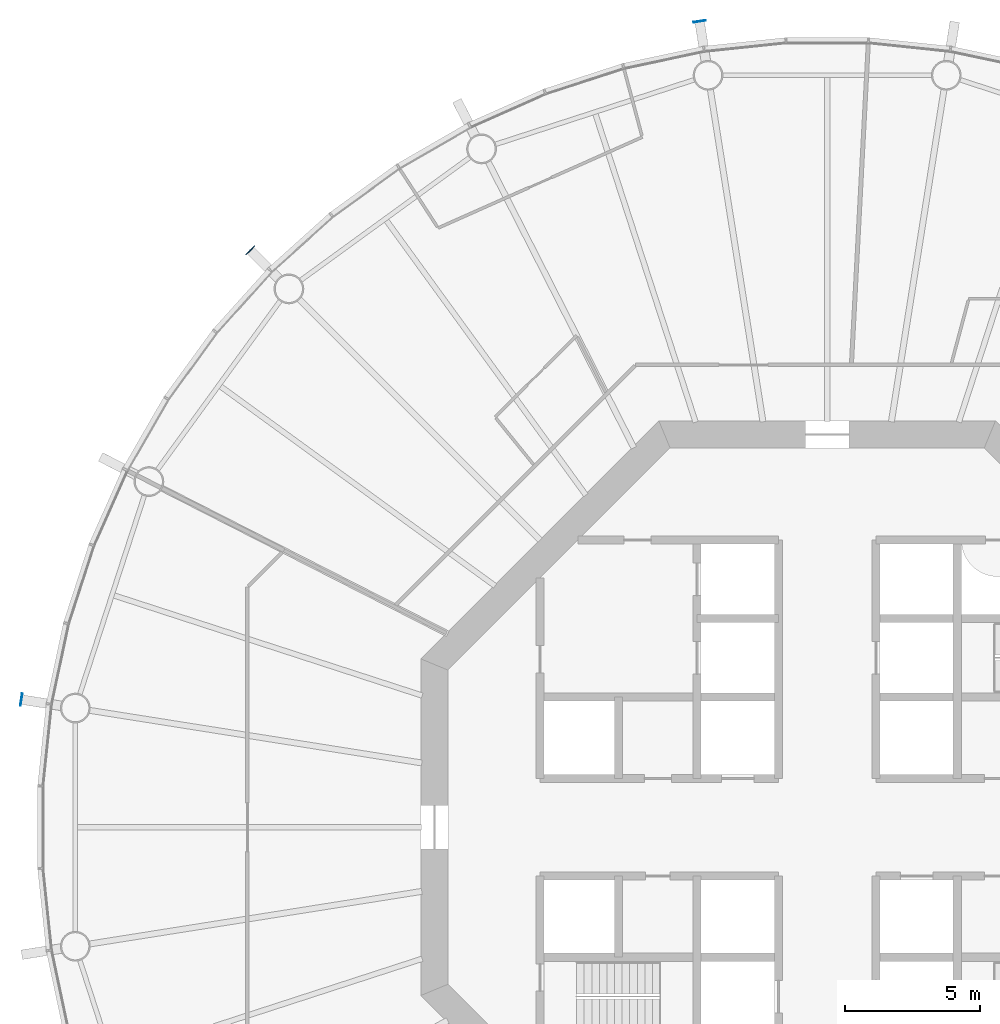
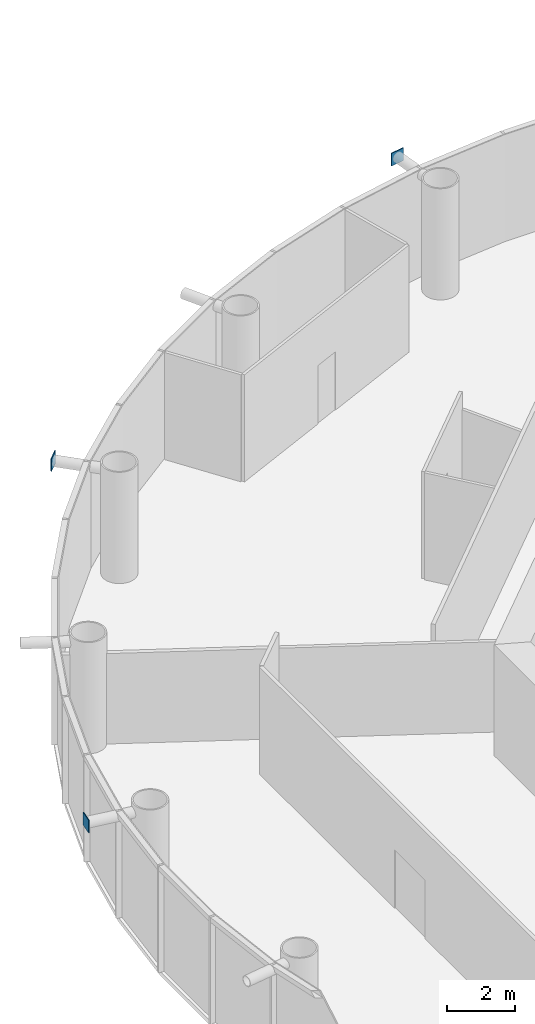
# One storey, part 9 of 17: 3 discrete accessories.
"""IFC4 building model written with IfcOpenShell, lengths in metres."""

from ifc_helpers import new_model, si_unit, direction, frame, origin, origin_2d, place, context, subcontext, project, spatial, rectangle, extrude, material, element, save


model = new_model("IFC4")

# Units and contexts
model_context = context("Model", 3, precision=1e-05, world=origin(), true_north=direction((0.0, 1.0)))
body_context = subcontext(model_context, "Body", "Model", "MODEL_VIEW")
ifc_project = project(units=[si_unit("LENGTHUNIT", "METRE"), si_unit("AREAUNIT", "SQUARE_METRE"), si_unit("VOLUMEUNIT", "CUBIC_METRE"), si_unit("PLANEANGLEUNIT", "RADIAN"), si_unit("MASSUNIT", "GRAM", prefix="KILO")], contexts=[model_context])

# Site, building, storey
site_placement = place(None, origin())
site = spatial("IfcSite", under=ifc_project, at=site_placement, CompositionType="ELEMENT")
building_placement = place(site_placement, origin())
building = spatial("IfcBuilding", under=site, at=building_placement, Name="Entoto Ring Tower", CompositionType="ELEMENT")
storey_placement = place(building_placement, frame((0.0, 0.0, 176.0)))
storey = spatial("IfcBuildingStorey", under=building, at=storey_placement, Name="L40", CompositionType="ELEMENT", Elevation=176.0)

# Discrete accessories
ifc_material = material(Name="Steel S355", Category="steel")
for number, where, z_axis, x_axis, name in (
    (1, (85.2890625, 109.744140625, 3.4443359375), (0.0, 0.0, 1.0), (-0.15643446504, 0.987688340595, 0.0), "Node strut end plate DS1 ring 12 06"),
    (2, (68.70556640625, 101.29443359375, 3.4443359375), (0.0, 0.0, 1.0), (-0.707106781187, 0.707106781187, 0.0), "Node strut end plate DS1 ring 12 08"),
    (3, (60.255859375, 84.7109375, 3.4443359375), (0.0, 0.0, 1.0), (-0.987688340595, 0.15643446504, 0.0), "Node strut end plate DS1 ring 12 10"),
):
    element("IfcDiscreteAccessory", number, at=place(storey_placement, frame(where, z_axis=z_axis, x_axis=x_axis)), inside=storey, material=ifc_material, Name=name, PredefinedType="BRACKET", context=body_context, shape_type="SweptSolid", body=[
        extrude(rectangle(XDim=0.030029296875, YDim=0.45556640625, at=origin_2d()), origin(), (0.0, 0.0, 1.0), 0.45556640625),
    ])

save(model, "model.ifc")
